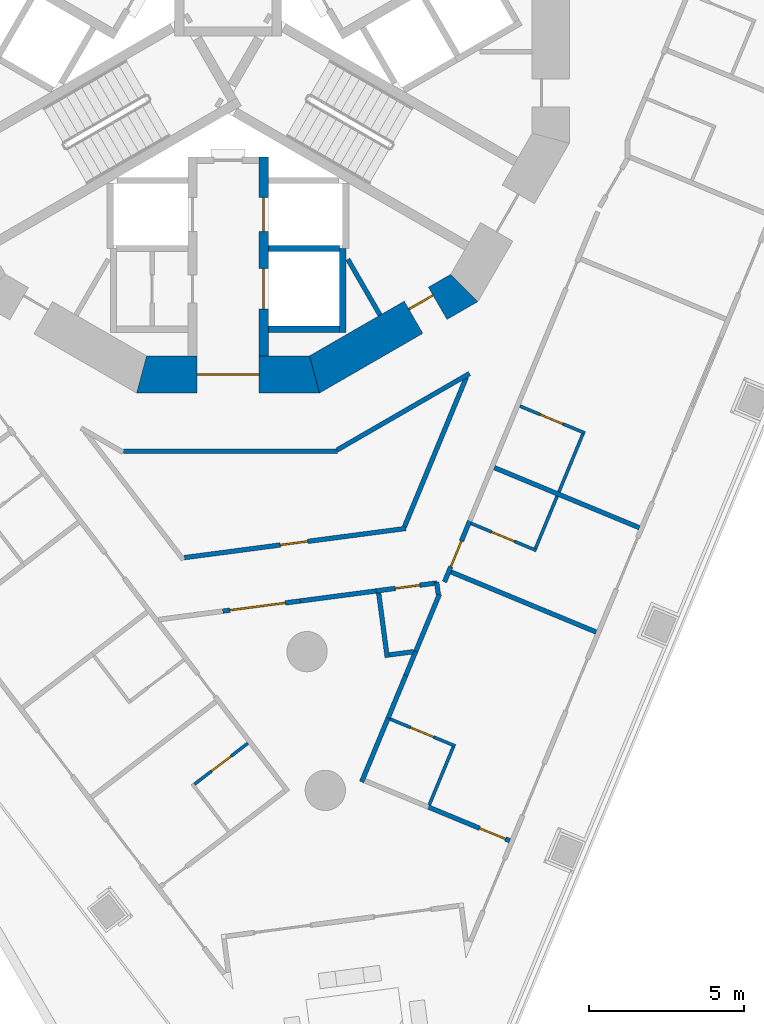
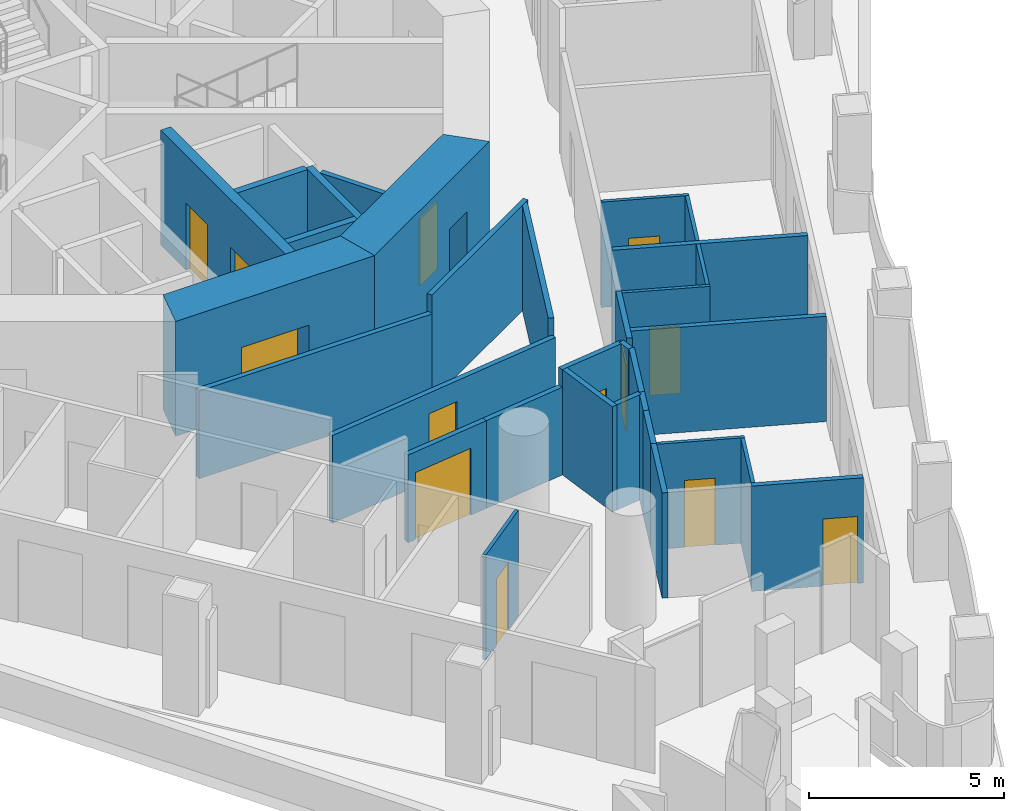
# One storey, part 4 of 20: 32 walls, 13 doors, 13 openings.
"""IFC4 building model written with IfcOpenShell, lengths in metres."""

from ifc_helpers import new_model, si_unit, direction, frame, frame_2d, origin, place, context, subcontext, project, spatial, polyline, rectangle, outline, extrude, material, layer, layer_set, type_object, element, fill, save


model = new_model("IFC4")

# Units and contexts
model_context = context("Model", 3, precision=1e-05, world=origin(), true_north=direction((0.0, 1.0)))
body_context = subcontext(model_context, "Body", "Model", "MODEL_VIEW")
ifc_project = project(units=[si_unit("LENGTHUNIT", "METRE"), si_unit("AREAUNIT", "SQUARE_METRE"), si_unit("VOLUMEUNIT", "CUBIC_METRE"), si_unit("PLANEANGLEUNIT", "RADIAN"), si_unit("MASSUNIT", "GRAM", prefix="KILO")], contexts=[model_context])

# Site, building, storey
site_placement = place(None, origin())
site = spatial("IfcSite", under=ifc_project, at=site_placement, CompositionType="ELEMENT")
building_placement = place(site_placement, origin())
building = spatial("IfcBuilding", under=site, at=building_placement, Name="Trine Commons Tower", CompositionType="ELEMENT")
storey_placement = place(building_placement, frame((0.0, 0.0, 50.39990234375)))
storey = spatial("IfcBuildingStorey", under=building, at=storey_placement, Name="L11", CompositionType="ELEMENT", Elevation=50.39990234375)

# Wall
ifc_material_1 = material(Name="Plasterboard partition on steel studs", Category="steel")
ifc_layer_1 = layer(ifc_material_1, 0.14990234375)
ifc_layer_set_1 = layer_set([ifc_layer_1], Name="Plasterboard partition on steel studs")
wall_type_1 = type_object("IfcWallType", Name="Core room partition 150 mm, EI 60", PredefinedType="PARTITIONING", material=ifc_layer_set_1)
wall_1_placement = place(storey_placement, frame((84.905029296875, 54.0029296875, 0.0), z_axis=(0.0, 0.0, 1.0), x_axis=(-0.5000780968, 0.865980309881, 0.0)))
element("IfcWall", 1, at=wall_1_placement, inside=storey, type_object=wall_type_1, Name="Core room partition L11", PredefinedType="PARTITIONING", context=body_context, shape_type="SweptSolid", body=[
    extrude(rectangle(XDim=2.079833984375, YDim=0.14990234375, at=frame_2d((1.0400390625, 0.0))), origin(), (0.0, 0.0, 1.0), 3.300048828125),
])

# Wall, opening, door
ifc_material_2 = material(Name="Concrete C80/95", Category="concrete")
ifc_layer_2 = layer(ifc_material_2, 1.199951171875)
ifc_layer_set_2 = layer_set([ifc_layer_2], Name="Concrete C80/95")
wall_type_2 = type_object("IfcWallType", Name="RC shear wall 1200 mm, C80/95", PredefinedType="SHEAR", material=ifc_layer_set_2)
wall_2_placement = place(storey_placement, frame((77.049560546875, 52.08837890625, 0.0), z_axis=(0.0, 0.0, 1.0), x_axis=(1.0, 0.0, 0.0)))
wall_2 = element("IfcWall", 2, at=wall_2_placement, inside=storey, type_object=wall_type_2, Name="Core wall CWB-10 L11", PredefinedType="SHEAR", context=body_context, shape_type="SweptSolid", body=[
    extrude(outline(polyline([(0.0, -0.60009765625), (5.90087890625, -0.60009765625), (5.57958984375, 0.60009765625), (0.321533203125, 0.60009765625), (0.0, -0.60009765625)])), origin(), (0.0, 0.0, 1.0), 3.60009765625),
])
opening_1_placement = place(wall_2_placement, frame((1.950439453125, 0.0, 0.0)))
opening_1 = element("IfcOpeningElement", 3, at=opening_1_placement, cuts=wall_2, Name="Opening K06.08", PredefinedType="OPENING", context=body_context, shape_type="SweptSolid", body=[
    extrude(rectangle(XDim=2.0, YDim=2.10009765625, at=frame_2d((1.0, 1.050048828125))), frame((0.0, 0.60986328125, 0.0), z_axis=(0.0, -1.0, 0.0), x_axis=(1.0, 0.0, 0.0)), (0.0, 0.0, 1.0), 1.219970703125),
])
ifc_material_3 = material(Name="Steel door leaves, fire-rated", Category="steel")
door_type_1 = type_object("IfcDoorType", Name="Lobby door, double leaf 2000 x 2100, FD60", OperationType="DOUBLE_DOOR_SINGLE_SWING", PredefinedType="DOOR", material=ifc_material_3)
door_1_placement = place(opening_1_placement, origin())
door_1 = element("IfcDoor", 4, at=door_1_placement, inside=storey, type_object=door_type_1, Name="Lobby door, Service and firefighting lobby L11", OperationType="DOUBLE_DOOR_SINGLE_SWING", OverallHeight=2.10009765625, OverallWidth=2.0, PredefinedType="DOOR", context=body_context, shape_type="SweptSolid", body=[
    extrude(rectangle(XDim=2.0, YDim=2.10009765625, at=frame_2d((1.0, 1.050048828125))), frame((0.0, 0.02490234375, 0.0), z_axis=(0.0, -1.0, 0.0), x_axis=(1.0, 0.0, 0.0)), (0.0, 0.0, 1.0), 0.050048828125),
])
fill(opening_1, door_1)

wall_3_placement = place(storey_placement, frame((82.650390625, 52.008056640625, 0.0), z_axis=(0.0, 0.0, 1.0), x_axis=(0.866037463336, 0.499979111662, 0.0)))
wall_3 = element("IfcWall", 5, at=wall_3_placement, inside=storey, type_object=wall_type_2, Name="Core wall CWB-11 L11", PredefinedType="SHEAR", context=body_context, shape_type="SweptSolid", body=[
    extrude(outline(polyline([(0.0, -0.60009765625), (5.901123046875, -0.60009765625), (5.57958984375, 0.60009765625), (0.321533203125, 0.60009765625), (0.0, -0.60009765625)])), origin(), (0.0, 0.0, 1.0), 3.60009765625),
])
opening_2_placement = place(wall_3_placement, frame((3.849853515625, 0.0, 0.0)))
opening_2 = element("IfcOpeningElement", 6, at=opening_2_placement, cuts=wall_3, Name="Opening K06.16", PredefinedType="OPENING", context=body_context, shape_type="SweptSolid", body=[
    extrude(rectangle(XDim=0.89990234375, YDim=2.10009765625, at=frame_2d((0.449951171875, 1.050048828125))), frame((0.0, 0.60986328125, 0.0), z_axis=(0.0, -1.0, 0.0), x_axis=(1.0, 0.0, 0.0)), (0.0, 0.0, 1.0), 1.219970703125),
])
ifc_material_4 = material(Name="Steel door leaf, fire-rated", Category="steel")
door_type_2 = type_object("IfcDoorType", Name="Core room door, single leaf 900 x 2100, FD30S", OperationType="SINGLE_SWING_LEFT", PredefinedType="DOOR", material=ifc_material_4)
door_2_placement = place(opening_2_placement, origin())
door_2 = element("IfcDoor", 7, at=door_2_placement, inside=storey, type_object=door_type_2, Name="Door to Cleaner's store L11", OperationType="SINGLE_SWING_RIGHT", OverallHeight=2.10009765625, OverallWidth=0.89990234375, PredefinedType="DOOR", context=body_context, shape_type="SweptSolid", body=[
    extrude(rectangle(XDim=0.89990234375, YDim=2.10009765625, at=frame_2d((0.449951171875, 1.050048828125))), frame((0.0, 0.3251953125, 0.0), z_axis=(0.0, -1.0, 0.0), x_axis=(1.0, 0.0, 0.0)), (0.0, 0.0, 1.0), 0.050048828125),
])
fill(opening_2, door_2)

# Wall, openings, doors
ifc_layer_3 = layer(ifc_material_2, 0.300048828125)
ifc_layer_set_3 = layer_set([ifc_layer_3], Name="Concrete C80/95")
wall_type_3 = type_object("IfcWallType", Name="RC shear wall 300 mm, C80/95", PredefinedType="SHEAR", material=ifc_layer_set_3)
wall_4_placement = place(storey_placement, frame((81.14990234375, 59.10009765625, 0.0), z_axis=(0.0, 0.0, 1.0), x_axis=(0.0, -1.0, 0.0)))
wall_4 = element("IfcWall", 8, at=wall_4_placement, inside=storey, type_object=wall_type_3, Name="Core cross wall SWA-04 L11", PredefinedType="SHEAR", context=body_context, shape_type="SweptSolid", body=[
    extrude(rectangle(XDim=6.412109375, YDim=0.300048828125, at=frame_2d((3.2060546875, 0.0))), origin(), (0.0, 0.0, 1.0), 3.60009765625),
])
opening_3_placement = place(wall_4_placement, frame((3.60009765625, 0.0, 0.0)))
opening_3 = element("IfcOpeningElement", 9, at=opening_3_placement, cuts=wall_4, Name="Opening LD11", PredefinedType="OPENING", context=body_context, shape_type="SweptSolid", body=[
    extrude(rectangle(XDim=1.300048828125, YDim=2.10009765625, at=frame_2d((0.64990234375, 1.050048828125))), frame((0.0, 0.159912109375, 0.0), z_axis=(0.0, -1.0, 0.0), x_axis=(1.0, 0.0, 0.0)), (0.0, 0.0, 1.0), 0.320068359375),
])
opening_4_placement = place(wall_4_placement, frame((1.300048828125, 0.0, 0.0)))
opening_4 = element("IfcOpeningElement", 10, at=opening_4_placement, cuts=wall_4, Name="Opening LD9", PredefinedType="OPENING", context=body_context, shape_type="SweptSolid", body=[
    extrude(rectangle(XDim=1.10009765625, YDim=2.10009765625, at=frame_2d((0.550048828125, 1.050048828125))), frame((0.0, 0.159912109375, 0.0), z_axis=(0.0, -1.0, 0.0), x_axis=(1.0, 0.0, 0.0)), (0.0, 0.0, 1.0), 0.320068359375),
])
ifc_material_5 = material(Name="Stainless steel sliding door leaves", Category="steel")
door_type_3 = type_object("IfcDoorType", Name="Lift landing door, centre-opening sliding 1100 x 2100, FD90", OperationType="DOUBLE_DOOR_SLIDING", PredefinedType="DOOR", material=ifc_material_5)
door_3_placement = place(opening_4_placement, origin())
door_3 = element("IfcDoor", 11, at=door_3_placement, inside=storey, type_object=door_type_3, Name="Lift landing door FF1 L11", OperationType="DOUBLE_DOOR_SLIDING", OverallHeight=2.10009765625, OverallWidth=1.10009765625, PredefinedType="DOOR", context=body_context, shape_type="SweptSolid", body=[
    extrude(rectangle(XDim=1.10009765625, YDim=2.10009765625, at=frame_2d((0.550048828125, 1.050048828125))), frame((0.0, 0.02490234375, 0.0), z_axis=(0.0, -1.0, 0.0), x_axis=(1.0, 0.0, 0.0)), (0.0, 0.0, 1.0), 0.050048828125),
])
fill(opening_4, door_3)
door_type_4 = type_object("IfcDoorType", Name="Lift landing door, centre-opening sliding 1300 x 2100, FD90", OperationType="DOUBLE_DOOR_SLIDING", PredefinedType="DOOR", material=ifc_material_5)
door_4_placement = place(opening_3_placement, origin())
door_4 = element("IfcDoor", 12, at=door_4_placement, inside=storey, type_object=door_type_4, Name="Lift landing door G1 L11", OperationType="DOUBLE_DOOR_SLIDING", OverallHeight=2.10009765625, OverallWidth=1.300048828125, PredefinedType="DOOR", context=body_context, shape_type="SweptSolid", body=[
    extrude(rectangle(XDim=1.300048828125, YDim=2.10009765625, at=frame_2d((0.64990234375, 1.050048828125))), frame((0.0, 0.02490234375, 0.0), z_axis=(0.0, -1.0, 0.0), x_axis=(1.0, 0.0, 0.0)), (0.0, 0.0, 1.0), 0.050048828125),
])
fill(opening_3, door_4)

# Walls
ifc_material_6 = material(Name="Fire-rated gypsum shaft wall system")
ifc_layer_4 = layer(ifc_material_6, 0.199951171875)
ifc_layer_set_4 = layer_set([ifc_layer_4], Name="Fire-rated gypsum shaft wall system")
wall_type_4 = type_object("IfcWallType", Name="Shaft wall 200 mm, EI 120", PredefinedType="PARTITIONING", material=ifc_layer_set_4)
for number, where, z_axis, x_axis, name in (
    (13, (81.300048828125, 53.550048828125, 0.0), (0.0, 0.0, 1.0), (1.0, 0.0, 0.0), "Shaft wall L11"),
    (14, (81.300048828125, 56.14990234375, 0.0), (0.0, 0.0, 1.0), (1.0, 0.0, 0.0), "Shaft wall L11"),
):
    element("IfcWall", number, at=place(storey_placement, frame(where, z_axis=z_axis, x_axis=x_axis)), inside=storey, type_object=wall_type_4, Name=name, PredefinedType="PARTITIONING", context=body_context, shape_type="SweptSolid", body=[
        extrude(rectangle(XDim=2.300048828125, YDim=0.199951171875, at=frame_2d((1.14990234375, 0.0))), origin(), (0.0, 0.0, 1.0), 3.300048828125),
    ])
wall_5_placement = place(storey_placement, frame((83.699951171875, 56.14990234375, 0.0), z_axis=(0.0, 0.0, 1.0), x_axis=(0.0, -1.0, 0.0)))
element("IfcWall", 15, at=wall_5_placement, inside=storey, type_object=wall_type_4, Name="Shaft wall L11", PredefinedType="PARTITIONING", context=body_context, shape_type="SweptSolid", body=[
    extrude(rectangle(XDim=2.699951171875, YDim=0.199951171875, at=frame_2d((1.35009765625, 0.0))), origin(), (0.0, 0.0, 1.0), 3.300048828125),
])
ifc_material_7 = material(Name="Gypsum plasterboard on steel stud", Category="steel")
ifc_layer_5 = layer(ifc_material_7, 0.14990234375)
ifc_layer_set_5 = layer_set([ifc_layer_5], Name="Gypsum plasterboard on steel stud")
wall_type_5 = type_object("IfcWallType", Name="Unit and corridor wall 150 mm, EI 60", PredefinedType="PARTITIONING", material=ifc_layer_set_5)
wall_6_placement = place(storey_placement, frame((76.6220703125, 49.613037109375, 0.0), z_axis=(0.0, 0.0, 1.0), x_axis=(1.0, 0.0, 0.0)))
element("IfcWall", 16, at=wall_6_placement, inside=storey, type_object=wall_type_5, Name="Partition 075", PredefinedType="PARTITIONING", context=body_context, shape_type="SweptSolid", body=[
    extrude(rectangle(XDim=6.906005859375, YDim=0.14990234375, at=frame_2d((3.453125, 0.0))), origin(), (0.0, 0.0, 1.0), 2.75),
])

# Wall, opening, door
wall_7_placement = place(storey_placement, frame((78.58642578125, 46.177734375, 0.0), z_axis=(0.0, 0.0, 1.0), x_axis=(0.991437356371, 0.130583185714, 0.0)))
wall_7 = element("IfcWall", 17, at=wall_7_placement, inside=storey, type_object=wall_type_5, Name="Partition 081", PredefinedType="PARTITIONING", context=body_context, shape_type="SweptSolid", body=[
    extrude(rectangle(XDim=7.21484375, YDim=0.14990234375, at=frame_2d((3.607421875, 0.0))), origin(), (0.0, 0.0, 1.0), 2.75),
])
opening_5_placement = place(wall_7_placement, frame((3.119873046875, 0.0, 0.0)))
opening_5 = element("IfcOpeningElement", 18, at=opening_5_placement, cuts=wall_7, Name="Opening D-2A36", PredefinedType="OPENING", context=body_context, shape_type="SweptSolid", body=[
    extrude(rectangle(XDim=0.89990234375, YDim=2.10009765625, at=frame_2d((0.449951171875, 1.050048828125))), frame((0.0, 0.0849609375, 0.0), z_axis=(0.0, -1.0, 0.0), x_axis=(1.0, 0.0, 0.0)), (0.0, 0.0, 1.0), 0.169921875),
])
ifc_material_8 = material(Name="Timber fire door set", Category="wood")
door_type_5 = type_object("IfcDoorType", Name="Service door 900 x 2100, FD30S", OperationType="NOTDEFINED", PredefinedType="DOOR", material=ifc_material_8)
door_5_placement = place(opening_5_placement, origin())
door_5 = element("IfcDoor", 19, at=door_5_placement, inside=storey, type_object=door_type_5, Name="Door D-2A36", OperationType="SINGLE_SWING_LEFT", OverallHeight=2.10009765625, OverallWidth=0.89990234375, PredefinedType="DOOR", context=body_context, shape_type="SweptSolid", body=[
    extrude(rectangle(XDim=0.89990234375, YDim=2.10009765625, at=frame_2d((0.449951171875, 1.050048828125))), frame((0.0, 0.02490234375, 0.0), z_axis=(0.0, -1.0, 0.0), x_axis=(1.0, 0.0, 0.0)), (0.0, 0.0, 1.0), 0.050048828125),
])
fill(opening_5, door_5)

wall_8_placement = place(storey_placement, frame((79.830078125, 44.450927734375, 0.0), z_axis=(0.0, 0.0, 1.0), x_axis=(0.991466141497, 0.130364451691, 0.0)))
wall_8 = element("IfcWall", 20, at=wall_8_placement, inside=storey, type_object=wall_type_5, Name="Partition 086", PredefinedType="PARTITIONING", context=body_context, shape_type="SweptSolid", body=[
    extrude(rectangle(XDim=2.5244140625, YDim=0.14990234375, at=frame_2d((1.26220703125, 0.0))), origin(), (0.0, 0.0, 1.0), 2.75),
])
opening_6_placement = place(wall_8_placement, frame((0.23486328125, 0.0, 0.0)))
opening_6 = element("IfcOpeningElement", 21, at=opening_6_placement, cuts=wall_8, Name="Opening D-2A02", PredefinedType="OPENING", context=body_context, shape_type="SweptSolid", body=[
    extrude(rectangle(XDim=1.800048828125, YDim=2.10009765625, at=frame_2d((0.89990234375, 1.050048828125))), frame((0.0, 0.0849609375, 0.0), z_axis=(0.0, -1.0, 0.0), x_axis=(1.0, 0.0, 0.0)), (0.0, 0.0, 1.0), 0.169921875),
])
door_type_6 = type_object("IfcDoorType", Name="Cluster entrance door 1800 x 2100, double leaf, FD30S", OperationType="DOUBLE_DOOR_DOUBLE_SWING", PredefinedType="DOOR", material=ifc_material_8)
door_6_placement = place(opening_6_placement, frame((1.800048828125, 0.0, 0.0), z_axis=(0.0, 0.0, 1.0), x_axis=(-1.0, 0.0, 0.0)))
door_6 = element("IfcDoor", 22, at=door_6_placement, inside=storey, type_object=door_type_6, Name="Door D-2A02", OperationType="DOUBLE_DOOR_DOUBLE_SWING", OverallHeight=2.10009765625, OverallWidth=1.800048828125, PredefinedType="DOOR", context=body_context, shape_type="SweptSolid", body=[
    extrude(rectangle(XDim=1.800048828125, YDim=2.10009765625, at=frame_2d((0.89990234375, 1.050048828125))), frame((0.0, 0.02490234375, 0.0), z_axis=(0.0, -1.0, 0.0), x_axis=(1.0, 0.0, 0.0)), (0.0, 0.0, 1.0), 0.050048828125),
])
fill(opening_6, door_6)

# Walls
wall_9_placement = place(storey_placement, frame((82.3330078125, 44.780029296875, 0.0), z_axis=(0.0, 0.0, 1.0), x_axis=(0.991416071527, 0.130744686764, 0.0)))
element("IfcWall", 23, at=wall_9_placement, inside=storey, type_object=wall_type_5, Name="Partition 089", PredefinedType="PARTITIONING", context=body_context, shape_type="SweptSolid", body=[
    extrude(rectangle(XDim=2.524658203125, YDim=0.14990234375, at=frame_2d((1.26220703125, 0.0))), origin(), (0.0, 0.0, 1.0), 2.75),
])
wall_10_placement = place(storey_placement, frame((83.517822265625, 49.650390625, 0.0), z_axis=(0.0, 0.0, 1.0), x_axis=(0.865971288988, 0.500093717866, 0.0)))
element("IfcWall", 24, at=wall_10_placement, inside=storey, type_object=wall_type_5, Name="Partition 092", PredefinedType="PARTITIONING", context=body_context, shape_type="SweptSolid", body=[
    extrude(rectangle(XDim=4.93310546875, YDim=0.14990234375, at=frame_2d((2.466552734375, 0.0))), origin(), (0.0, 0.0, 1.0), 3.300048828125),
])
wall_11_placement = place(storey_placement, frame((84.310302734375, 38.941650390625, 0.0), z_axis=(0.0, 0.0, 1.0), x_axis=(0.382789938294, 0.923835409118, 0.0)))
element("IfcWall", 25, at=wall_11_placement, inside=storey, type_object=wall_type_5, Name="Partition 094", PredefinedType="PARTITIONING", context=body_context, shape_type="SweptSolid", body=[
    extrude(rectangle(XDim=2.280029296875, YDim=0.14990234375, at=frame_2d((1.14013671875, 0.0))), origin(), (0.0, 0.0, 1.0), 3.300048828125),
])

# Wall, opening, door
wall_12_placement = place(storey_placement, frame((84.772705078125, 45.102294921875, 0.0), z_axis=(0.0, 0.0, 1.0), x_axis=(0.991450105095, 0.130486356022, 0.0)))
wall_12 = element("IfcWall", 26, at=wall_12_placement, inside=storey, type_object=wall_type_5, Name="Partition 096", PredefinedType="PARTITIONING", context=body_context, shape_type="SweptSolid", body=[
    extrude(rectangle(XDim=1.983154296875, YDim=0.14990234375, at=frame_2d((0.99169921875, 0.0))), origin(), (0.0, 0.0, 1.0), 3.300048828125),
])
opening_7_placement = place(wall_12_placement, frame((0.629150390625, 0.0, 0.0)))
opening_7 = element("IfcOpeningElement", 27, at=opening_7_placement, cuts=wall_12, Name="Opening D-2A05", PredefinedType="OPENING", context=body_context, shape_type="SweptSolid", body=[
    extrude(rectangle(XDim=0.800048828125, YDim=2.10009765625, at=frame_2d((0.39990234375, 1.050048828125))), frame((0.0, 0.0849609375, 0.0), z_axis=(0.0, -1.0, 0.0), x_axis=(1.0, 0.0, 0.0)), (0.0, 0.0, 1.0), 0.169921875),
])
ifc_material_9 = material(Name="Painted timber", Category="wood")
door_type_7 = type_object("IfcDoorType", Name="Toilet door 800 x 2100, NOT RATED", OperationType="NOTDEFINED", PredefinedType="DOOR", material=ifc_material_9)
door_7_placement = place(opening_7_placement, frame((0.800048828125, 0.0, 0.0), z_axis=(0.0, 0.0, 1.0), x_axis=(-1.0, 0.0, 0.0)))
door_7 = element("IfcDoor", 28, at=door_7_placement, inside=storey, type_object=door_type_7, Name="Door D-2A05", OperationType="SINGLE_SWING_LEFT", OverallHeight=2.10009765625, OverallWidth=0.800048828125, PredefinedType="DOOR", context=body_context, shape_type="SweptSolid", body=[
    extrude(rectangle(XDim=0.800048828125, YDim=2.10009765625, at=frame_2d((0.39990234375, 1.050048828125))), frame((0.0, 0.02490234375, 0.0), z_axis=(0.0, -1.0, 0.0), x_axis=(1.0, 0.0, 0.0)), (0.0, 0.0, 1.0), 0.050048828125),
])
fill(opening_7, door_7)

# Walls
wall_13_placement = place(storey_placement, frame((84.86083984375, 45.03759765625, 0.0), z_axis=(0.0, 0.0, 1.0), x_axis=(0.130899564309, -0.991395634479, 0.0)))
element("IfcWall", 29, at=wall_13_placement, inside=storey, type_object=wall_type_5, Name="Partition 097", PredefinedType="PARTITIONING", context=body_context, shape_type="SweptSolid", body=[
    extrude(rectangle(XDim=2.10009765625, YDim=0.14990234375, at=frame_2d((1.050048828125, 0.0))), origin(), (0.0, 0.0, 1.0), 3.300048828125),
])
wall_14_placement = place(storey_placement, frame((85.200439453125, 43.039794921875, 0.0), z_axis=(0.0, 0.0, 1.0), x_axis=(0.991515431038, 0.129989038049, 0.0)))
element("IfcWall", 30, at=wall_14_placement, inside=storey, type_object=wall_type_5, Name="Partition 100", PredefinedType="PARTITIONING", context=body_context, shape_type="SweptSolid", body=[
    extrude(rectangle(XDim=0.786865234375, YDim=0.14990234375, at=frame_2d((0.3935546875, 0.0))), origin(), (0.0, 0.0, 1.0), 3.300048828125),
])
wall_15_placement = place(storey_placement, frame((85.160888671875, 40.993896484375, 0.0), z_axis=(0.0, 0.0, 1.0), x_axis=(0.382519732759, 0.923947322118, 0.0)))
element("IfcWall", 31, at=wall_15_placement, inside=storey, type_object=wall_type_5, Name="Partition 101", PredefinedType="PARTITIONING", context=body_context, shape_type="SweptSolid", body=[
    extrude(rectangle(XDim=1.498046875, YDim=0.14990234375, at=frame_2d((0.7490234375, 0.0))), origin(), (0.0, 0.0, 1.0), 3.300048828125),
])
wall_16_placement = place(storey_placement, frame((85.693603515625, 47.17919921875, 0.0), z_axis=(0.0, 0.0, 1.0), x_axis=(0.382564920946, 0.923928612643, 0.0)))
element("IfcWall", 32, at=wall_16_placement, inside=storey, type_object=wall_type_5, Name="Partition 106", PredefinedType="PARTITIONING", context=body_context, shape_type="SweptSolid", body=[
    extrude(rectangle(XDim=5.227294921875, YDim=0.14990234375, at=frame_2d((2.61376953125, 0.0))), origin(), (0.0, 0.0, 1.0), 3.300048828125),
])
wall_17_placement = place(storey_placement, frame((85.73388671875, 42.3779296875, 0.0), z_axis=(0.0, 0.0, 1.0), x_axis=(0.383063523393, 0.923722002036, 0.0)))
element("IfcWall", 33, at=wall_17_placement, inside=storey, type_object=wall_type_5, Name="Partition 107", PredefinedType="PARTITIONING", context=body_context, shape_type="SweptSolid", body=[
    extrude(rectangle(XDim=0.838134765625, YDim=0.14990234375, at=frame_2d((0.4189453125, 0.0))), origin(), (0.0, 0.0, 1.0), 3.300048828125),
])
wall_18_placement = place(storey_placement, frame((86.054931640625, 43.152099609375, 0.0), z_axis=(0.0, 0.0, 1.0), x_axis=(0.382829605696, 0.923818971987, 0.0)))
element("IfcWall", 34, at=wall_18_placement, inside=storey, type_object=wall_type_5, Name="Partition 108", PredefinedType="PARTITIONING", context=body_context, shape_type="SweptSolid", body=[
    extrude(rectangle(XDim=2.00048828125, YDim=0.14990234375, at=frame_2d((1.000244140625, 0.0))), origin(), (0.0, 0.0, 1.0), 3.300048828125),
])

# Wall, opening, door
wall_19_placement = place(storey_placement, frame((86.413818359375, 38.151123046875, 0.0), z_axis=(0.0, 0.0, 1.0), x_axis=(0.923916054036, -0.382595249703, 0.0)))
wall_19 = element("IfcWall", 35, at=wall_19_placement, inside=storey, type_object=wall_type_5, Name="Partition 109", PredefinedType="PARTITIONING", context=body_context, shape_type="SweptSolid", body=[
    extrude(rectangle(XDim=2.893310546875, YDim=0.14990234375, at=frame_2d((1.44677734375, 0.0))), origin(), (0.0, 0.0, 1.0), 3.300048828125),
])
opening_8_placement = place(wall_19_placement, frame((1.84326171875, 0.0, 0.0)))
opening_8 = element("IfcOpeningElement", 36, at=opening_8_placement, cuts=wall_19, Name="Opening D-2A25", PredefinedType="OPENING", context=body_context, shape_type="SweptSolid", body=[
    extrude(rectangle(XDim=0.89990234375, YDim=2.10009765625, at=frame_2d((0.449951171875, 1.050048828125))), frame((0.0, 0.0849609375, 0.0), z_axis=(0.0, -1.0, 0.0), x_axis=(1.0, 0.0, 0.0)), (0.0, 0.0, 1.0), 0.169921875),
])
door_type_8 = type_object("IfcDoorType", Name="Bedroom door 900 x 2100, FD30S", OperationType="NOTDEFINED", PredefinedType="DOOR", material=ifc_material_8)
door_8_placement = place(opening_8_placement, origin())
door_8 = element("IfcDoor", 37, at=door_8_placement, inside=storey, type_object=door_type_8, Name="Door D-2A25", OperationType="SINGLE_SWING_RIGHT", OverallHeight=2.10009765625, OverallWidth=0.89990234375, PredefinedType="DOOR", context=body_context, shape_type="SweptSolid", body=[
    extrude(rectangle(XDim=0.89990234375, YDim=2.10009765625, at=frame_2d((0.449951171875, 1.050048828125))), frame((0.0, 0.02490234375, 0.0), z_axis=(0.0, -1.0, 0.0), x_axis=(1.0, 0.0, 0.0)), (0.0, 0.0, 1.0), 0.050048828125),
])
fill(opening_8, door_8)

# Wall
wall_20_placement = place(storey_placement, frame((86.732177734375, 45.380859375, 0.0), z_axis=(0.0, 0.0, 1.0), x_axis=(0.131843859112, -0.99127049629, 0.0)))
element("IfcWall", 38, at=wall_20_placement, inside=storey, type_object=wall_type_5, Name="Partition 112", PredefinedType="PARTITIONING", context=body_context, shape_type="SweptSolid", body=[
    extrude(rectangle(XDim=0.39990234375, YDim=0.14990234375, at=frame_2d((0.199951171875, 0.0))), origin(), (0.0, 0.0, 1.0), 3.300048828125),
])

# Wall, opening, door
wall_21_placement = place(storey_placement, frame((86.98291015625, 45.39306640625, 0.0), z_axis=(0.0, 0.0, 1.0), x_axis=(0.382618621816, 0.923906375257, 0.0)))
wall_21 = element("IfcWall", 39, at=wall_21_placement, inside=storey, type_object=wall_type_5, Name="Partition 113", PredefinedType="PARTITIONING", context=body_context, shape_type="SweptSolid", body=[
    extrude(rectangle(XDim=2.1279296875, YDim=0.14990234375, at=frame_2d((1.06396484375, 0.0))), origin(), (0.0, 0.0, 1.0), 3.300048828125),
])
opening_9_placement = place(wall_21_placement, frame((0.52978515625, 0.0, 0.0)))
opening_9 = element("IfcOpeningElement", 40, at=opening_9_placement, cuts=wall_21, Name="Opening D-2A24", PredefinedType="OPENING", context=body_context, shape_type="SweptSolid", body=[
    extrude(rectangle(XDim=0.89990234375, YDim=2.10009765625, at=frame_2d((0.449951171875, 1.050048828125))), frame((0.0, 0.0849609375, 0.0), z_axis=(0.0, -1.0, 0.0), x_axis=(1.0, 0.0, 0.0)), (0.0, 0.0, 1.0), 0.169921875),
])
door_9_placement = place(opening_9_placement, frame((0.89990234375, 0.0, 0.0), z_axis=(0.0, 0.0, 1.0), x_axis=(-1.0, 0.0, 0.0)))
door_9 = element("IfcDoor", 41, at=door_9_placement, inside=storey, type_object=door_type_8, Name="Door D-2A24", OperationType="SINGLE_SWING_RIGHT", OverallHeight=2.10009765625, OverallWidth=0.89990234375, PredefinedType="DOOR", context=body_context, shape_type="SweptSolid", body=[
    extrude(rectangle(XDim=0.89990234375, YDim=2.10009765625, at=frame_2d((0.449951171875, 1.050048828125))), frame((0.0, 0.02490234375, 0.0), z_axis=(0.0, -1.0, 0.0), x_axis=(1.0, 0.0, 0.0)), (0.0, 0.0, 1.0), 0.050048828125),
])
fill(opening_9, door_9)

# Walls
for number, where, z_axis, x_axis, name in (
    (42, (87.197265625, 45.71533203125, 0.0), (0.0, 0.0, 1.0), (0.923879340067, -0.382683896966, 0.0), "Partition 115"),
    (43, (88.59130859375, 49.081298828125, 0.0), (0.0, 0.0, 1.0), (0.923879340067, -0.382683896966, 0.0), "Partition 118"),
):
    element("IfcWall", number, at=place(storey_placement, frame(where, z_axis=z_axis, x_axis=x_axis)), inside=storey, type_object=wall_type_5, Name=name, PredefinedType="PARTITIONING", context=body_context, shape_type="SweptSolid", body=[
        extrude(rectangle(XDim=5.064208984375, YDim=0.14990234375, at=frame_2d((2.5322265625, 0.0))), origin(), (0.0, 0.0, 1.0), 3.300048828125),
    ])

# Wall, opening, door
ifc_layer_6 = layer(ifc_material_7, 0.10009765625)
ifc_layer_set_6 = layer_set([ifc_layer_6], Name="Gypsum plasterboard on steel stud")
wall_type_6 = type_object("IfcWallType", Name="Unit partition 100 mm, no rating", PredefinedType="PARTITIONING", material=ifc_layer_set_6)
wall_22_placement = place(storey_placement, frame((78.915771484375, 38.866455078125, 0.0), z_axis=(0.0, 0.0, 1.0), x_axis=(0.793266438723, 0.608874664603, 0.0)))
wall_22 = element("IfcWall", 44, at=wall_22_placement, inside=storey, type_object=wall_type_6, Name="Partition 083", PredefinedType="PARTITIONING", context=body_context, shape_type="SweptSolid", body=[
    extrude(rectangle(XDim=2.174072265625, YDim=0.10009765625, at=frame_2d((1.0869140625, 0.0))), origin(), (0.0, 0.0, 1.0), 3.300048828125),
])
opening_10_placement = place(wall_22_placement, frame((0.687255859375, 0.0, 0.0)))
opening_10 = element("IfcOpeningElement", 45, at=opening_10_placement, cuts=wall_22, Name="Opening D-2A57", PredefinedType="OPENING", context=body_context, shape_type="SweptSolid", body=[
    extrude(rectangle(XDim=0.800048828125, YDim=2.10009765625, at=frame_2d((0.39990234375, 1.050048828125))), frame((0.0, 0.06005859375, 0.0), z_axis=(0.0, -1.0, 0.0), x_axis=(1.0, 0.0, 0.0)), (0.0, 0.0, 1.0), 0.1201171875),
])
door_type_9 = type_object("IfcDoorType", Name="Internal door 800 x 2100, NOT RATED", OperationType="NOTDEFINED", PredefinedType="DOOR", material=ifc_material_9)
door_10_placement = place(opening_10_placement, origin())
door_10 = element("IfcDoor", 46, at=door_10_placement, inside=storey, type_object=door_type_9, Name="Door D-2A57", OperationType="SINGLE_SWING_RIGHT", OverallHeight=2.10009765625, OverallWidth=0.800048828125, PredefinedType="DOOR", context=body_context, shape_type="SweptSolid", body=[
    extrude(rectangle(XDim=0.800048828125, YDim=2.10009765625, at=frame_2d((0.39990234375, 1.050048828125))), frame((0.0, 0.02490234375, 0.0), z_axis=(0.0, -1.0, 0.0), x_axis=(1.0, 0.0, 0.0)), (0.0, 0.0, 1.0), 0.050048828125),
])
fill(opening_10, door_10)

wall_23_placement = place(storey_placement, frame((85.231201171875, 40.96923828125, 0.0), z_axis=(0.0, 0.0, 1.0), x_axis=(0.923931833824, -0.382557141415, 0.0)))
wall_23 = element("IfcWall", 47, at=wall_23_placement, inside=storey, type_object=wall_type_6, Name="Partition 103", PredefinedType="PARTITIONING", context=body_context, shape_type="SweptSolid", body=[
    extrude(rectangle(XDim=2.275146484375, YDim=0.10009765625, at=frame_2d((1.1376953125, 0.0))), origin(), (0.0, 0.0, 1.0), 3.300048828125),
])
opening_11_placement = place(wall_23_placement, frame((0.71240234375, 0.0, 0.0)))
opening_11 = element("IfcOpeningElement", 48, at=opening_11_placement, cuts=wall_23, Name="Opening D-2A56", PredefinedType="OPENING", context=body_context, shape_type="SweptSolid", body=[
    extrude(rectangle(XDim=0.800048828125, YDim=2.10009765625, at=frame_2d((0.39990234375, 1.050048828125))), frame((0.0, 0.06005859375, 0.0), z_axis=(0.0, -1.0, 0.0), x_axis=(1.0, 0.0, 0.0)), (0.0, 0.0, 1.0), 0.1201171875),
])
door_11_placement = place(opening_11_placement, origin())
door_11 = element("IfcDoor", 49, at=door_11_placement, inside=storey, type_object=door_type_9, Name="Door D-2A56", OperationType="SINGLE_SWING_LEFT", OverallHeight=2.10009765625, OverallWidth=0.800048828125, PredefinedType="DOOR", context=body_context, shape_type="SweptSolid", body=[
    extrude(rectangle(XDim=0.800048828125, YDim=2.10009765625, at=frame_2d((0.39990234375, 1.050048828125))), frame((0.0, 0.02490234375, 0.0), z_axis=(0.0, -1.0, 0.0), x_axis=(1.0, 0.0, 0.0)), (0.0, 0.0, 1.0), 0.050048828125),
])
fill(opening_11, door_11)

# Wall
wall_24_placement = place(storey_placement, frame((86.49267578125, 38.2001953125, 0.0), z_axis=(0.0, 0.0, 1.0), x_axis=(0.382646278951, 0.923894921084, 0.0)))
element("IfcWall", 50, at=wall_24_placement, inside=storey, type_object=wall_type_6, Name="Partition 110", PredefinedType="PARTITIONING", context=body_context, shape_type="SweptSolid", body=[
    extrude(rectangle(XDim=2.025634765625, YDim=0.10009765625, at=frame_2d((1.0126953125, 0.0))), origin(), (0.0, 0.0, 1.0), 3.300048828125),
])

# Wall, opening, door
wall_25_placement = place(storey_placement, frame((87.84521484375, 47.2802734375, 0.0), z_axis=(0.0, 0.0, 1.0), x_axis=(0.92378006954, -0.382923469012, 0.0)))
wall_25 = element("IfcWall", 51, at=wall_25_placement, inside=storey, type_object=wall_type_6, Name="Partition 116", PredefinedType="PARTITIONING", context=body_context, shape_type="SweptSolid", body=[
    extrude(rectangle(XDim=2.275390625, YDim=0.10009765625, at=frame_2d((1.1376953125, 0.0))), origin(), (0.0, 0.0, 1.0), 3.300048828125),
])
opening_12_placement = place(wall_25_placement, frame((0.712646484375, 0.0, 0.0)))
opening_12 = element("IfcOpeningElement", 52, at=opening_12_placement, cuts=wall_25, Name="Opening D-2A55", PredefinedType="OPENING", context=body_context, shape_type="SweptSolid", body=[
    extrude(rectangle(XDim=0.800048828125, YDim=2.10009765625, at=frame_2d((0.39990234375, 1.050048828125))), frame((0.0, 0.06005859375, 0.0), z_axis=(0.0, -1.0, 0.0), x_axis=(1.0, 0.0, 0.0)), (0.0, 0.0, 1.0), 0.1201171875),
])
door_12_placement = place(opening_12_placement, frame((0.800048828125, 0.0, 0.0), z_axis=(0.0, 0.0, 1.0), x_axis=(-1.0, 0.0, 0.0)))
door_12 = element("IfcDoor", 53, at=door_12_placement, inside=storey, type_object=door_type_9, Name="Door D-2A55", OperationType="SINGLE_SWING_RIGHT", OverallHeight=2.10009765625, OverallWidth=0.800048828125, PredefinedType="DOOR", context=body_context, shape_type="SweptSolid", body=[
    extrude(rectangle(XDim=0.800048828125, YDim=2.10009765625, at=frame_2d((0.39990234375, 1.050048828125))), frame((0.0, 0.02490234375, 0.0), z_axis=(0.0, -1.0, 0.0), x_axis=(1.0, 0.0, 0.0)), (0.0, 0.0, 1.0), 0.050048828125),
])
fill(opening_12, door_12)

wall_26_placement = place(storey_placement, frame((89.414306640625, 51.0673828125, 0.0), z_axis=(0.0, 0.0, 1.0), x_axis=(0.923916126796, -0.382595073996, 0.0)))
wall_26 = element("IfcWall", 54, at=wall_26_placement, inside=storey, type_object=wall_type_6, Name="Partition 121", PredefinedType="PARTITIONING", context=body_context, shape_type="SweptSolid", body=[
    extrude(rectangle(XDim=2.27490234375, YDim=0.10009765625, at=frame_2d((1.137451171875, 0.0))), origin(), (0.0, 0.0, 1.0), 3.300048828125),
])
opening_13_placement = place(wall_26_placement, frame((0.71240234375, 0.0, 0.0)))
opening_13 = element("IfcOpeningElement", 55, at=opening_13_placement, cuts=wall_26, Name="Opening D-2A54", PredefinedType="OPENING", context=body_context, shape_type="SweptSolid", body=[
    extrude(rectangle(XDim=0.800048828125, YDim=2.10009765625, at=frame_2d((0.39990234375, 1.050048828125))), frame((0.0, 0.06005859375, 0.0), z_axis=(0.0, -1.0, 0.0), x_axis=(1.0, 0.0, 0.0)), (0.0, 0.0, 1.0), 0.1201171875),
])
door_13_placement = place(opening_13_placement, origin())
door_13 = element("IfcDoor", 56, at=door_13_placement, inside=storey, type_object=door_type_9, Name="Door D-2A54", OperationType="SINGLE_SWING_LEFT", OverallHeight=2.10009765625, OverallWidth=0.800048828125, PredefinedType="DOOR", context=body_context, shape_type="SweptSolid", body=[
    extrude(rectangle(XDim=0.800048828125, YDim=2.10009765625, at=frame_2d((0.39990234375, 1.050048828125))), frame((0.0, 0.02490234375, 0.0), z_axis=(0.0, -1.0, 0.0), x_axis=(1.0, 0.0, 0.0)), (0.0, 0.0, 1.0), 0.050048828125),
])
fill(opening_13, door_13)

# Walls
wall_27_placement = place(storey_placement, frame((89.920166015625, 46.47412109375, 0.0), z_axis=(0.0, 0.0, 1.0), x_axis=(0.382525049986, 0.923945120737, 0.0)))
element("IfcWall", 57, at=wall_27_placement, inside=storey, type_object=wall_type_6, Name="Partition 123", PredefinedType="PARTITIONING", context=body_context, shape_type="SweptSolid", body=[
    extrude(rectangle(XDim=1.825439453125, YDim=0.10009765625, at=frame_2d((0.91259765625, 0.0))), origin(), (0.0, 0.0, 1.0), 3.300048828125),
])
wall_28_placement = place(storey_placement, frame((90.67578125, 48.29931640625, 0.0), z_axis=(0.0, 0.0, 1.0), x_axis=(0.382816773578, 0.923824289498, 0.0)))
element("IfcWall", 58, at=wall_28_placement, inside=storey, type_object=wall_type_6, Name="Partition 126", PredefinedType="PARTITIONING", context=body_context, shape_type="SweptSolid", body=[
    extrude(rectangle(XDim=2.02490234375, YDim=0.10009765625, at=frame_2d((1.012451171875, 0.0))), origin(), (0.0, 0.0, 1.0), 3.300048828125),
])

save(model, "model.ifc")
